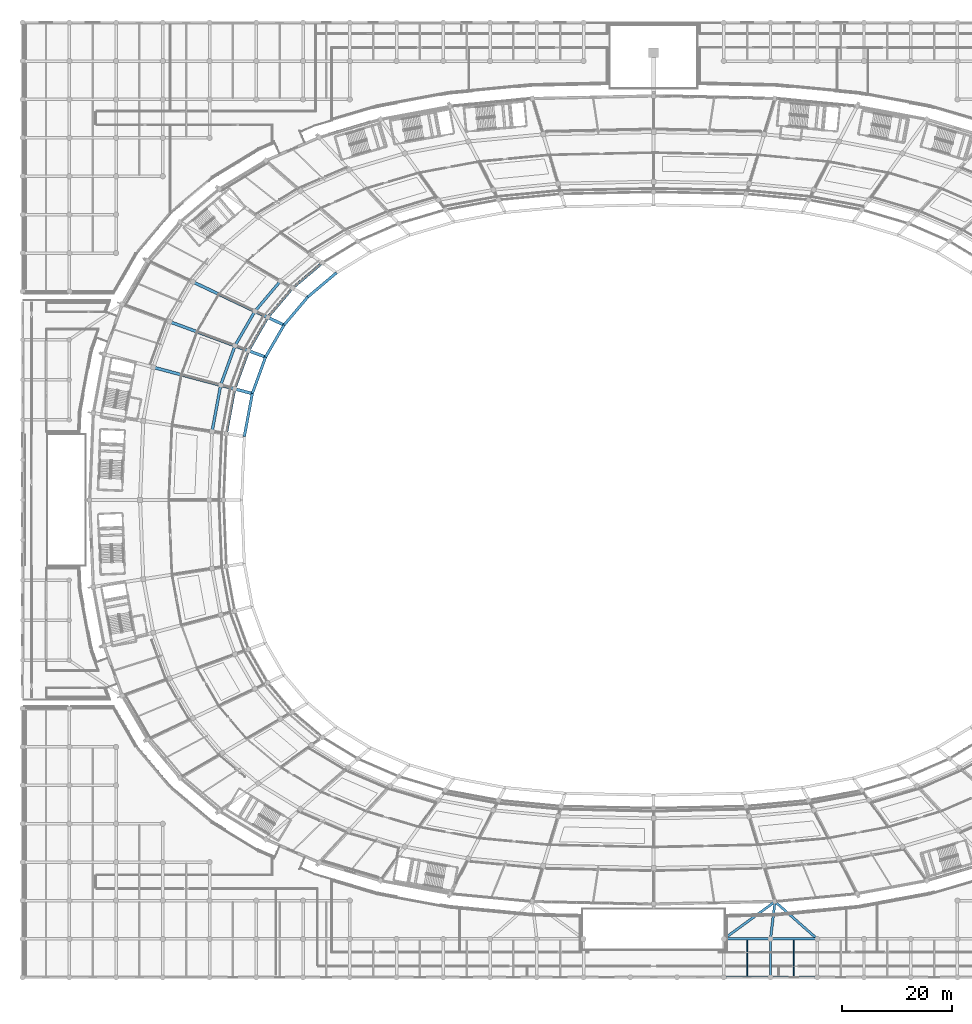
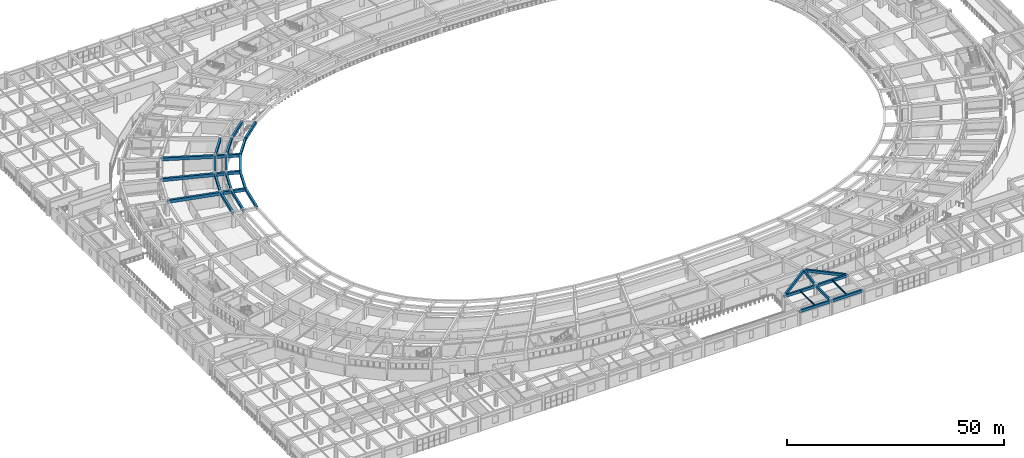
# One storey, part 32 of 145: 27 beams.
"""IFC4 building model written with IfcOpenShell, lengths in metres."""

from ifc_helpers import new_model, si_unit, direction, frame, origin, origin_2d, place, context, subcontext, project, spatial, rectangle, i_section, extrude, material, material_profile, profile_set, type_object, element, save


model = new_model("IFC4")

# Units and contexts
model_context = context("Model", 3, precision=1e-05, world=origin(), true_north=direction((0.0, 1.0)))
body_context = subcontext(model_context, "Body", "Model", "MODEL_VIEW")
ifc_project = project(units=[si_unit("LENGTHUNIT", "METRE"), si_unit("AREAUNIT", "SQUARE_METRE"), si_unit("VOLUMEUNIT", "CUBIC_METRE"), si_unit("PLANEANGLEUNIT", "RADIAN"), si_unit("MASSUNIT", "GRAM", prefix="KILO")], contexts=[model_context])

# Site, building, storey
site_placement = place(None, origin())
site = spatial("IfcSite", under=ifc_project, at=site_placement, CompositionType="ELEMENT")
building_placement = place(site_placement, origin())
building = spatial("IfcBuilding", under=site, at=building_placement, Name="Mphavela Belvedere Stadium", CompositionType="ELEMENT")
storey_placement = place(building_placement, frame((0.0, 0.0, 10.199951171875)))
storey = spatial("IfcBuildingStorey", under=building, at=storey_placement, Name="L02", CompositionType="ELEMENT", Elevation=10.199951171875)

# Beams
ifc_material_1 = material(Name="Steel S355", Category="steel")
ifc_material_profile_1 = material_profile(ifc_material_1, i_section(OverallWidth=0.169921875, OverallDepth=0.360107421875, WebThickness=0.008056640625, FlangeThickness=0.0126953125, at=origin_2d()), Name="IPE 360")
ifc_profile_set_1 = profile_set([ifc_material_profile_1], Name="Steel S355")
beam_type_1 = type_object("IfcBeamType", Name="BM-JOIST-IPE360", PredefinedType="JOIST", material=ifc_profile_set_1)
for number, where, z_axis, x_axis, name in (
    (1, (132.037109375, 0.22509765625, 4.06005859375), (0.0, 1.0, 0.0), (-1.0, 0.0, 0.0), "South Axial Triumphal Peristyle Portico secondary joist L02 16-1"),
    (2, (140.555419921875, 0.22509765625, 4.06005859375), (0.0, 1.0, 0.0), (-1.0, 0.0, 0.0), "South Axial Triumphal Peristyle Portico secondary joist L02 17-1"),
):
    element("IfcBeam", number, at=place(storey_placement, frame(where, z_axis=z_axis, x_axis=x_axis)), inside=storey, type_object=beam_type_1, Name=name, PredefinedType="JOIST", context=body_context, shape_type="SweptSolid", body=[
        extrude(i_section(OverallWidth=0.169921875, OverallDepth=0.360107421875, WebThickness=0.008056640625, FlangeThickness=0.0126953125, at=origin_2d()), origin(), (0.0, 0.0, 1.0), 6.5498046875),
    ])
ifc_material_2 = material(Name="Concrete C40/50", Category="concrete")
ifc_material_profile_2 = material_profile(ifc_material_2, rectangle(XDim=0.449951171875, YDim=0.75, at=origin_2d()), Name="RC 450x750")
ifc_profile_set_2 = profile_set([ifc_material_profile_2], Name="Concrete C40/50")
beam_type_2 = type_object("IfcBeamType", Name="BM-RC450x750", PredefinedType="BEAM", material=ifc_profile_set_2)
for number, where, z_axis, x_axis, name in (
    (3, (127.778076171875, 0.0, 3.864990234375), (1.0, 0.0, 0.0), (0.0, 1.0, 0.0), "South Axial Triumphal Peristyle Portico entablature beam X L02 16-1"),
    (4, (127.778076171875, 7.0, 3.864990234375), (1.0, 0.0, 0.0), (0.0, 1.0, 0.0), "South Axial Triumphal Peristyle Portico entablature beam X L02 16-2"),
):
    element("IfcBeam", number, at=place(storey_placement, frame(where, z_axis=z_axis, x_axis=x_axis)), inside=storey, type_object=beam_type_2, Name=name, PredefinedType="BEAM", context=body_context, shape_type="SweptSolid", body=[
        extrude(rectangle(XDim=0.449951171875, YDim=0.75, at=origin_2d()), origin(), (0.0, 0.0, 1.0), 8.517822265625),
    ])
beam_1_placement = place(storey_placement, frame((136.2958984375, 0.0, 3.864990234375), z_axis=(1.0, 0.0, 0.0), x_axis=(0.0, 1.0, 0.0)))
element("IfcBeam", 5, at=beam_1_placement, inside=storey, type_object=beam_type_2, Name="South Axial Triumphal Peristyle Portico entablature beam X L02 17-1", PredefinedType="BEAM", context=body_context, shape_type="SweptSolid", body=[
    extrude(rectangle(XDim=0.449951171875, YDim=0.75, at=origin_2d()), origin(), (0.0, 0.0, 1.0), 8.51904296875),
])
beam_2_placement = place(storey_placement, frame((136.2958984375, 0.0, 3.864990234375), z_axis=(0.0, 1.0, 0.0), x_axis=(-1.0, 0.0, 0.0)))
element("IfcBeam", 6, at=beam_2_placement, inside=storey, type_object=beam_type_2, Name="South Axial Triumphal Peristyle Portico entablature beam Y L02 17-1", PredefinedType="BEAM", context=body_context, shape_type="SweptSolid", body=[
    extrude(rectangle(XDim=0.449951171875, YDim=0.75, at=origin_2d()), origin(), (0.0, 0.0, 1.0), 7.0),
])
beam_3_placement = place(storey_placement, frame((136.2958984375, 7.0, 3.864990234375), z_axis=(1.0, 0.0, 0.0), x_axis=(0.0, 1.0, 0.0)))
element("IfcBeam", 7, at=beam_3_placement, inside=storey, type_object=beam_type_2, Name="South Axial Triumphal Peristyle Portico entablature beam X L02 17-2", PredefinedType="BEAM", context=body_context, shape_type="SweptSolid", body=[
    extrude(rectangle(XDim=0.449951171875, YDim=0.75, at=origin_2d()), origin(), (0.0, 0.0, 1.0), 8.51904296875),
])
beam_4_placement = place(storey_placement, frame((127.778076171875, 7.0, 3.864990234375), z_axis=(0.808075844415, 0.589078457994, 0.0), x_axis=(-0.589078457994, 0.808075844415, 0.0)))
element("IfcBeam", 8, at=beam_4_placement, inside=storey, type_object=beam_type_2, Name="South Axial Triumphal Peristyle Portico bowl link girder L02-2", PredefinedType="BEAM", context=body_context, shape_type="SweptSolid", body=[
    extrude(rectangle(XDim=0.449951171875, YDim=0.75, at=origin_2d()), origin(), (0.0, 0.0, 1.0), 11.553955078125),
])
beam_5_placement = place(storey_placement, frame((136.2958984375, 7.0, 3.864990234375), z_axis=(0.119413444072, 0.99284461492, 0.0), x_axis=(-0.99284461492, 0.119413444072, 0.0)))
element("IfcBeam", 9, at=beam_5_placement, inside=storey, type_object=beam_type_2, Name="South Axial Triumphal Peristyle Portico bowl link girder L02-4", PredefinedType="BEAM", context=body_context, shape_type="SweptSolid", body=[
    extrude(rectangle(XDim=0.449951171875, YDim=0.75, at=origin_2d()), origin(), (0.0, 0.0, 1.0), 6.855224609375),
])
beam_6_placement = place(storey_placement, frame((144.81494140625, 7.0, 3.864990234375), z_axis=(-0.749275353375, 0.662258593621, 0.0), x_axis=(-0.662258593621, -0.749275353375, 0.0)))
element("IfcBeam", 10, at=beam_6_placement, inside=storey, type_object=beam_type_2, Name="South Axial Triumphal Peristyle Portico bowl link girder L02-6", PredefinedType="BEAM", context=body_context, shape_type="SweptSolid", body=[
    extrude(rectangle(XDim=0.449951171875, YDim=0.75, at=origin_2d()), origin(), (0.0, 0.0, 1.0), 10.277099609375),
])
ifc_material_3 = material(Name="Concrete C40/50", Category="concrete")
ifc_material_profile_3 = material_profile(ifc_material_3, rectangle(XDim=0.5, YDim=0.800048828125, at=origin_2d()), Name="RC 500x800")
ifc_profile_set_3 = profile_set([ifc_material_profile_3], Name="Concrete C40/50")
beam_type_3 = type_object("IfcBeamType", Name="BM-RC500x800", PredefinedType="BEAM", material=ifc_profile_set_3)
beam_7_placement = place(storey_placement, frame((54.66259765625, 130.2314453125, 3.85009765625), z_axis=(-0.76425683958, -0.644911996442, 0.0), x_axis=(0.644911996442, -0.76425683958, 0.0)))
element("IfcBeam", 11, at=beam_7_placement, inside=storey, type_object=beam_type_3, Name="Circumferential girder L02 R1-19", PredefinedType="BEAM", context=body_context, shape_type="SweptSolid", body=[
    extrude(rectangle(XDim=0.5, YDim=0.800048828125, at=origin_2d()), origin(), (0.0, 0.0, 1.0), 7.1640625),
])
beam_8_placement = place(storey_placement, frame((49.1875, 125.611328125, 3.85009765625), z_axis=(-0.645159025586, -0.764048317651, 0.0), x_axis=(0.764048317651, -0.645159025586, 0.0)))
element("IfcBeam", 12, at=beam_8_placement, inside=storey, type_object=beam_type_3, Name="Circumferential girder L02 R1-20", PredefinedType="BEAM", context=body_context, shape_type="SweptSolid", body=[
    extrude(rectangle(XDim=0.5, YDim=0.800048828125, at=origin_2d()), origin(), (0.0, 0.0, 1.0), 6.975830078125),
])
beam_9_placement = place(storey_placement, frame((46.98828125, 126.901611328125, 3.85009765625), z_axis=(-0.645167637984, -0.764041045297, 0.0), x_axis=(0.764041045297, -0.645167637984, 0.0)))
element("IfcBeam", 13, at=beam_9_placement, inside=storey, type_object=beam_type_3, Name="Circumferential girder L02 R2-20", PredefinedType="BEAM", context=body_context, shape_type="SweptSolid", body=[
    extrude(rectangle(XDim=0.5, YDim=0.800048828125, at=origin_2d()), origin(), (0.0, 0.0, 1.0), 7.208740234375),
])
beam_10_placement = place(storey_placement, frame((44.68701171875, 120.281494140625, 3.85009765625), z_axis=(-0.500559513075, -0.86570212768, 0.0), x_axis=(0.86570212768, -0.500559513075, 0.0)))
element("IfcBeam", 14, at=beam_10_placement, inside=storey, type_object=beam_type_3, Name="Circumferential girder L02 R1-21", PredefinedType="BEAM", context=body_context, shape_type="SweptSolid", body=[
    extrude(rectangle(XDim=0.5, YDim=0.800048828125, at=origin_2d()), origin(), (0.0, 0.0, 1.0), 7.02587890625),
])
beam_11_placement = place(storey_placement, frame((42.33740234375, 121.393798828125, 3.85009765625), z_axis=(-0.500568314135, -0.86569703874, 0.0), x_axis=(0.86569703874, -0.500568314135, 0.0)))
element("IfcBeam", 15, at=beam_11_placement, inside=storey, type_object=beam_type_3, Name="Circumferential girder L02 R2-21", PredefinedType="BEAM", context=body_context, shape_type="SweptSolid", body=[
    extrude(rectangle(XDim=0.5, YDim=0.800048828125, at=origin_2d()), origin(), (0.0, 0.0, 1.0), 7.2607421875),
])
beam_12_placement = place(storey_placement, frame((41.170166015625, 114.19921875, 3.85009765625), z_axis=(-0.341037858277, -0.940049562109, 0.0), x_axis=(0.940049562109, -0.341037858277, 0.0)))
element("IfcBeam", 16, at=beam_12_placement, inside=storey, type_object=beam_type_3, Name="Circumferential girder L02 R1-22", PredefinedType="BEAM", context=body_context, shape_type="SweptSolid", body=[
    extrude(rectangle(XDim=0.5, YDim=0.800048828125, at=origin_2d()), origin(), (0.0, 0.0, 1.0), 7.39501953125),
])
beam_13_placement = place(storey_placement, frame((38.702880859375, 115.108154296875, 3.85009765625), z_axis=(-0.341037560831, -0.940049670019, 0.0), x_axis=(0.940049670019, -0.341037560831, 0.0)))
element("IfcBeam", 17, at=beam_13_placement, inside=storey, type_object=beam_type_3, Name="Circumferential girder L02 R2-22", PredefinedType="BEAM", context=body_context, shape_type="SweptSolid", body=[
    extrude(rectangle(XDim=0.5, YDim=0.800048828125, at=origin_2d()), origin(), (0.0, 0.0, 1.0), 7.64208984375),
])
beam_14_placement = place(storey_placement, frame((38.648193359375, 107.24755859375, 3.85009765625), z_axis=(-0.182638448973, -0.983180144712, 0.0), x_axis=(0.983180144712, -0.182638448973, 0.0)))
element("IfcBeam", 18, at=beam_14_placement, inside=storey, type_object=beam_type_3, Name="Circumferential girder L02 R1-23", PredefinedType="BEAM", context=body_context, shape_type="SweptSolid", body=[
    extrude(rectangle(XDim=0.5, YDim=0.800048828125, at=origin_2d()), origin(), (0.0, 0.0, 1.0), 8.30908203125),
])
beam_15_placement = place(storey_placement, frame((36.0966796875, 107.92431640625, 3.85009765625), z_axis=(-0.182614573179, -0.983184579651, 0.0), x_axis=(0.983184579651, -0.182614573179, 0.0)))
element("IfcBeam", 19, at=beam_15_placement, inside=storey, type_object=beam_type_3, Name="Circumferential girder L02 R2-23", PredefinedType="BEAM", context=body_context, shape_type="SweptSolid", body=[
    extrude(rectangle(XDim=0.5, YDim=0.800048828125, at=origin_2d()), origin(), (0.0, 0.0, 1.0), 8.5869140625),
])
beam_16_placement = place(storey_placement, frame((57.201416015625, 128.412353515625, 3.85009765625), z_axis=(-0.764246549785, -0.644924190229, 0.0), x_axis=(0.644924190229, -0.764246549785, 0.0)))
element("IfcBeam", 20, at=beam_16_placement, inside=storey, type_object=beam_type_3, Name="Upper tier front sightline ring beam 19", PredefinedType="BEAM", context=body_context, shape_type="SweptSolid", body=[
    extrude(rectangle(XDim=0.5, YDim=0.800048828125, at=origin_2d()), origin(), (0.0, 0.0, 1.0), 6.862548828125),
])
beam_17_placement = place(storey_placement, frame((51.956787109375, 123.986572265625, 3.85009765625), z_axis=(-0.645180343886, -0.764030316063, 0.0), x_axis=(0.764030316063, -0.645180343886, 0.0)))
element("IfcBeam", 21, at=beam_17_placement, inside=storey, type_object=beam_type_3, Name="Upper tier front sightline ring beam 20", PredefinedType="BEAM", context=body_context, shape_type="SweptSolid", body=[
    extrude(rectangle(XDim=0.5, YDim=0.800048828125, at=origin_2d()), origin(), (0.0, 0.0, 1.0), 6.682373046875),
])
beam_18_placement = place(storey_placement, frame((47.6455078125, 118.881103515625, 3.85009765625), z_axis=(-0.500531411911, -0.865718375507, 0.0), x_axis=(0.865718375507, -0.500531411911, 0.0)))
element("IfcBeam", 22, at=beam_18_placement, inside=storey, type_object=beam_type_3, Name="Upper tier front sightline ring beam 21", PredefinedType="BEAM", context=body_context, shape_type="SweptSolid", body=[
    extrude(rectangle(XDim=0.5, YDim=0.800048828125, at=origin_2d()), origin(), (0.0, 0.0, 1.0), 6.730224609375),
])
beam_19_placement = place(storey_placement, frame((44.27685546875, 113.0546875, 3.85009765625), z_axis=(-0.341056708776, -0.940042723178, 0.0), x_axis=(0.940042723178, -0.341056708776, 0.0)))
element("IfcBeam", 23, at=beam_19_placement, inside=storey, type_object=beam_type_3, Name="Upper tier front sightline ring beam 22", PredefinedType="BEAM", context=body_context, shape_type="SweptSolid", body=[
    extrude(rectangle(XDim=0.5, YDim=0.800048828125, at=origin_2d()), origin(), (0.0, 0.0, 1.0), 7.083984375),
])
beam_20_placement = place(storey_placement, frame((41.86083984375, 106.3955078125, 3.85009765625), z_axis=(-0.18262523239, -0.983182599772, 0.0), x_axis=(0.983182599772, -0.18262523239, 0.0)))
element("IfcBeam", 24, at=beam_20_placement, inside=storey, type_object=beam_type_3, Name="Upper tier front sightline ring beam 23", PredefinedType="BEAM", context=body_context, shape_type="SweptSolid", body=[
    extrude(rectangle(XDim=0.5, YDim=0.800048828125, at=origin_2d()), origin(), (0.0, 0.0, 1.0), 7.95947265625),
])
ifc_material_4 = material(Name="Concrete C40/50", Category="concrete")
ifc_material_profile_4 = material_profile(ifc_material_4, rectangle(XDim=0.550048828125, YDim=0.85009765625, at=origin_2d()), Name="RC 550x850")
ifc_profile_set_4 = profile_set([ifc_material_profile_4], Name="Concrete C40/50")
beam_type_4 = type_object("IfcBeamType", Name="BM-RC550x850", PredefinedType="BEAM", material=ifc_profile_set_4)
beam_21_placement = place(storey_placement, frame((47.6455078125, 118.881103515625, 3.824951171875), z_axis=(-0.903863235866, 0.427821517517, 0.0), x_axis=(-0.427821517517, -0.903863235866, 0.0)))
element("IfcBeam", 25, at=beam_21_placement, inside=storey, type_object=beam_type_4, Name="Upper tier box-front outrigger girder 21", PredefinedType="BEAM", context=body_context, shape_type="SweptSolid", body=[
    extrude(rectangle(XDim=0.550048828125, YDim=0.85009765625, at=origin_2d()), origin(), (0.0, 0.0, 1.0), 18.388916015625),
])
beam_22_placement = place(storey_placement, frame((44.27685546875, 113.0546875, 3.824951171875), z_axis=(-0.938345582008, 0.345698667521, 0.0), x_axis=(-0.345698667521, -0.938345582008, 0.0)))
element("IfcBeam", 26, at=beam_22_placement, inside=storey, type_object=beam_type_4, Name="Upper tier box-front outrigger girder 22", PredefinedType="BEAM", context=body_context, shape_type="SweptSolid", body=[
    extrude(rectangle(XDim=0.550048828125, YDim=0.85009765625, at=origin_2d()), origin(), (0.0, 0.0, 1.0), 18.59912109375),
])
beam_23_placement = place(storey_placement, frame((41.86083984375, 106.3955078125, 3.824951171875), z_axis=(-0.96658754532, 0.256336726267, 0.0), x_axis=(-0.256336726267, -0.96658754532, 0.0)))
element("IfcBeam", 27, at=beam_23_placement, inside=storey, type_object=beam_type_4, Name="Upper tier box-front outrigger girder 23", PredefinedType="BEAM", context=body_context, shape_type="SweptSolid", body=[
    extrude(rectangle(XDim=0.550048828125, YDim=0.85009765625, at=origin_2d()), origin(), (0.0, 0.0, 1.0), 18.672119140625),
])

save(model, "model.ifc")
